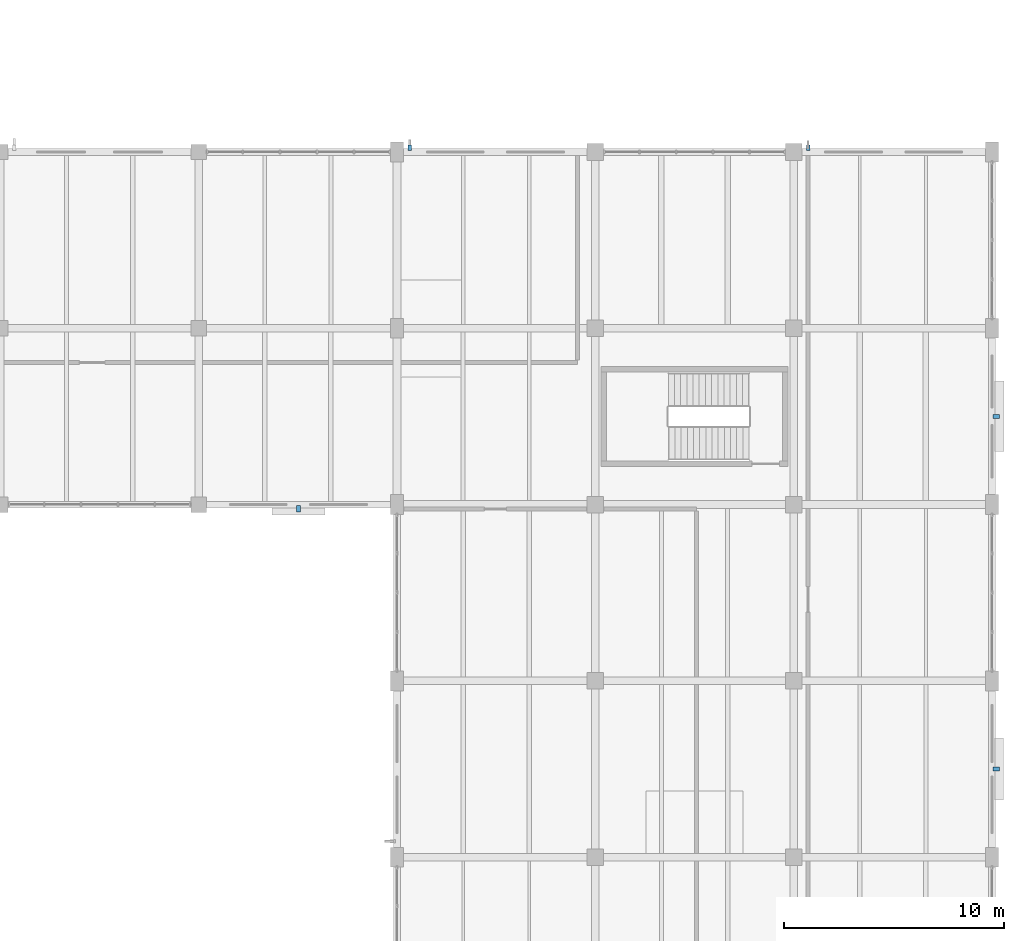
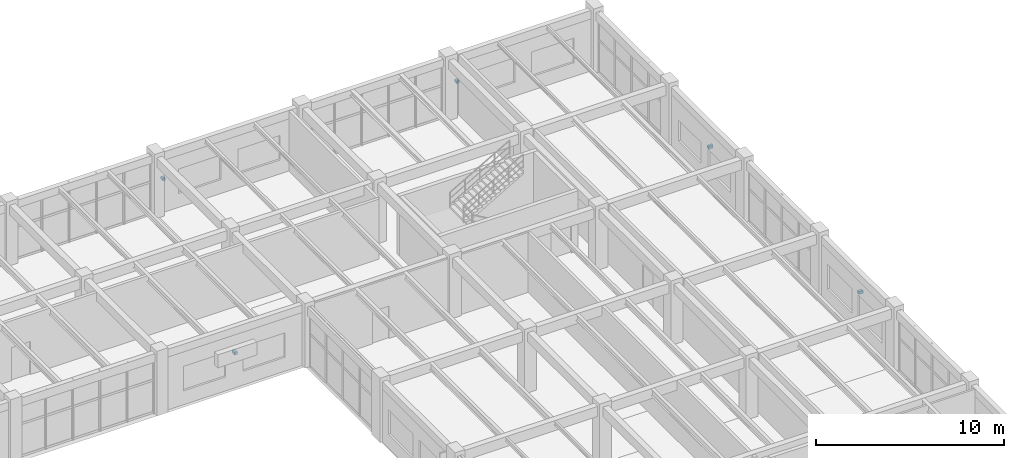
# One storey, part 120 of 128: 5 discrete accessories.
"""IFC4 building model written with IfcOpenShell, lengths in metres."""

from ifc_helpers import new_model, si_unit, derived_unit, direction, frame, origin, origin_2d, place, context, subcontext, project, spatial, rectangle, extrude, material, type_object, element, save


model = new_model("IFC4")

# Units and contexts
model_context = context("Model", 3, precision=1e-05, world=origin(), true_north=direction((0.0, 1.0)))
body_context = subcontext(model_context, "Body", "Model", "MODEL_VIEW")
ifc_project = project(units=[si_unit("LENGTHUNIT", "METRE"), si_unit("AREAUNIT", "SQUARE_METRE"), si_unit("VOLUMEUNIT", "CUBIC_METRE"), si_unit("PLANEANGLEUNIT", "RADIAN"), si_unit("MASSUNIT", "GRAM", prefix="KILO"), derived_unit("THERMALTRANSMITTANCEUNIT", [(si_unit("MASSUNIT", "GRAM", prefix="KILO"), 1), (si_unit("TIMEUNIT", "SECOND"), -3), (si_unit("THERMODYNAMICTEMPERATUREUNIT", "KELVIN"), -1)])], contexts=[model_context])

# Site, building, storey
site_placement = place(None, origin())
site = spatial("IfcSite", under=ifc_project, at=site_placement, CompositionType="ELEMENT")
building_placement = place(site_placement, origin())
building = spatial("IfcBuilding", under=site, at=building_placement, Name="Zhenchuan Archway Interchange", CompositionType="ELEMENT")
storey_placement = place(building_placement, frame((0.0, 0.0, 14.39990234375)))
storey = spatial("IfcBuildingStorey", under=building, at=storey_placement, Name="L03", CompositionType="ELEMENT", Elevation=14.39990234375)

# Discrete accessories
ifc_material = material(Name="Stainless Steel 316", Category="steel")
discrete_accessory_type_1 = type_object("IfcDiscreteAccessoryType", Name="BRK_SHD_1", PredefinedType="BRACKET", material=ifc_material)
for number, where, z_axis, x_axis, name in (
    (1, (144.577880859375, 104.18994140625, 1.875), (0.0, 0.0, 1.0), (1.0, 0.0, 0.0), "Solar fin stainless fixing bracket L03-114"),
    (2, (162.653076171875, 104.18994140625, 1.875), (0.0, 0.0, 1.0), (1.0, 0.0, 0.0), "Solar fin stainless fixing bracket L03-115"),
):
    element("IfcDiscreteAccessory", number, at=place(storey_placement, frame(where, z_axis=z_axis, x_axis=x_axis)), inside=storey, type_object=discrete_accessory_type_1, Name=name, PredefinedType="BRACKET", context=body_context, shape_type="SweptSolid", body=[
        extrude(rectangle(XDim=0.159912109375, YDim=0.239990234375, at=origin_2d()), origin(), (0.0, 0.0, 1.0), 0.159912109375),
    ])
discrete_accessory_type_2 = type_object("IfcDiscreteAccessoryType", Name="BRK_SHD_2", PredefinedType="BRACKET", material=ifc_material)
for number, where, z_axis, x_axis, name in (
    (3, (139.52490234375, 87.81005859375, 2.26025390625), (0.0, 0.0, 1.0), (-1.0, 0.0, 0.0), "Storm-louvre stainless fixing bracket L03-109"),
    (4, (171.18994140625, 92.0, 2.01025390625), (0.0, 0.0, 1.0), (0.0, -1.0, 0.0), "Storm-louvre stainless fixing bracket L03-116"),
    (5, (171.18994140625, 76.0, 2.26025390625), (0.0, 0.0, 1.0), (0.0, -1.0, 0.0), "Storm-louvre stainless fixing bracket L03-117"),
):
    element("IfcDiscreteAccessory", number, at=place(storey_placement, frame(where, z_axis=z_axis, x_axis=x_axis)), inside=storey, type_object=discrete_accessory_type_2, Name=name, PredefinedType="BRACKET", context=body_context, shape_type="SweptSolid", body=[
        extrude(rectangle(XDim=0.179931640625, YDim=0.280029296875, at=origin_2d()), origin(), (0.0, 0.0, 1.0), 0.179931640625),
    ])

save(model, "model.ifc")
